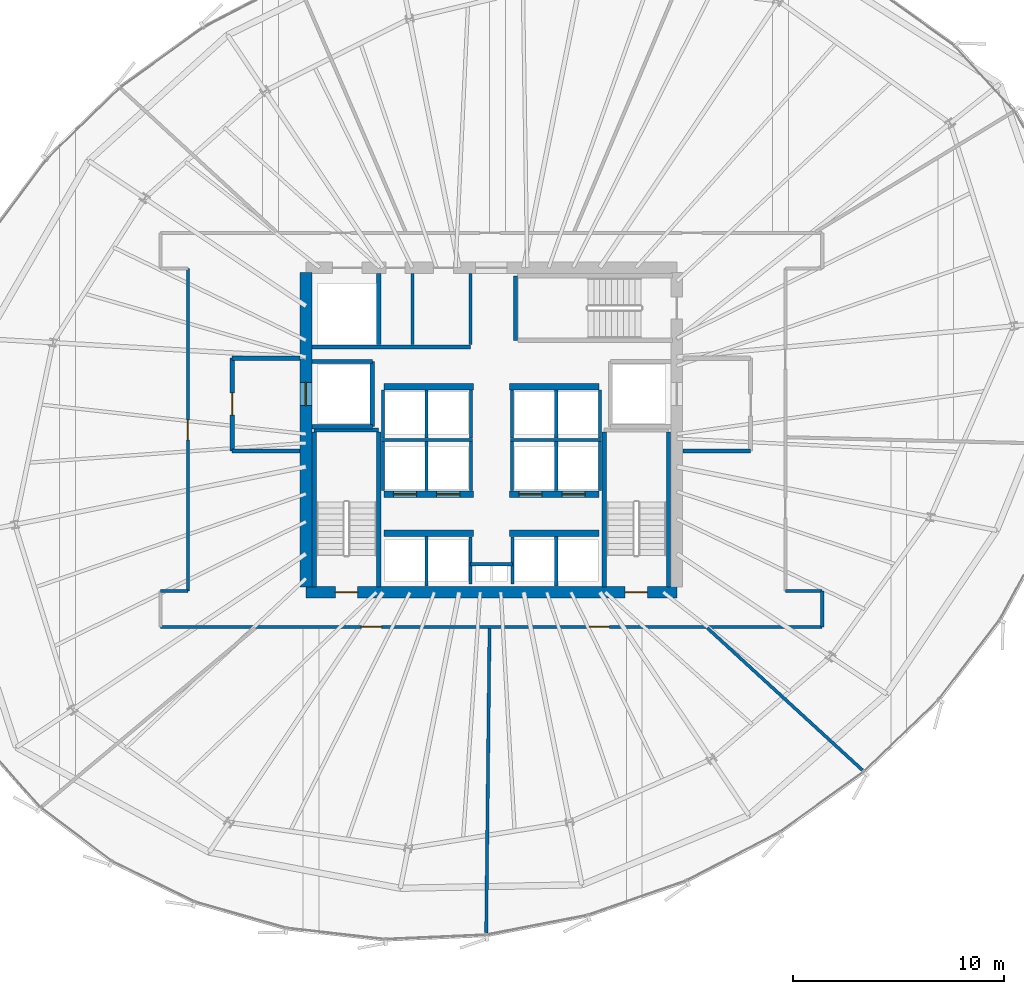
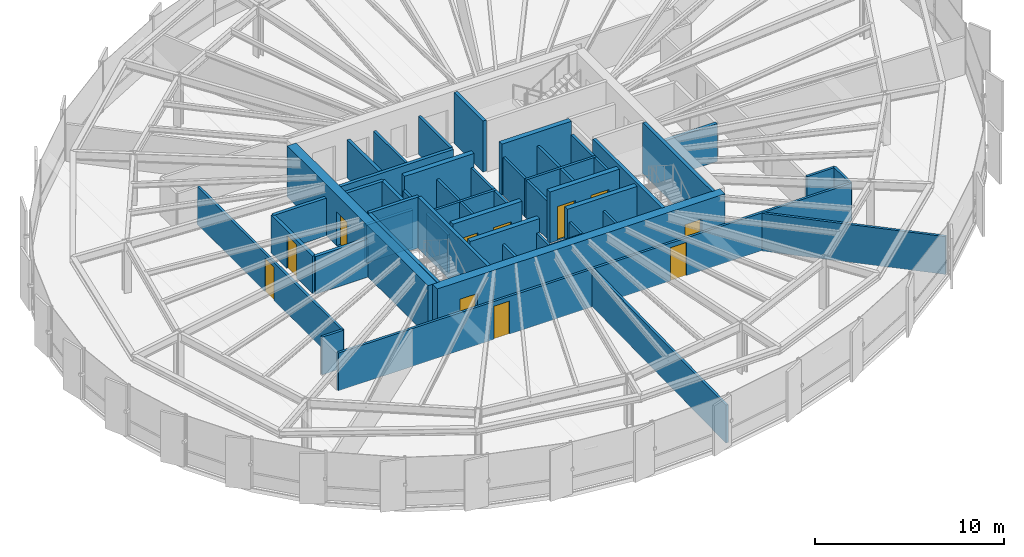
# One storey, part 28 of 34: 51 walls, 11 doors, 11 openings.
"""IFC4 building model written with IfcOpenShell, lengths in metres."""

from ifc_helpers import new_model, si_unit, direction, frame, frame_2d, origin, place, context, subcontext, project, spatial, rectangle, extrude, source, transform, mapped, material, layer, layer_set, type_object, element, fill, save


model = new_model("IFC4")

# Units and contexts
model_context = context("Model", 3, precision=1e-05, world=origin(), true_north=direction((0.0, 1.0)))
body_context = subcontext(model_context, "Body", "Model", "MODEL_VIEW")
ifc_project = project(units=[si_unit("LENGTHUNIT", "METRE"), si_unit("AREAUNIT", "SQUARE_METRE"), si_unit("VOLUMEUNIT", "CUBIC_METRE"), si_unit("PLANEANGLEUNIT", "RADIAN"), si_unit("MASSUNIT", "GRAM", prefix="KILO"), si_unit("THERMODYNAMICTEMPERATUREUNIT", "KELVIN")], contexts=[model_context])

# Site, building, storey
site_placement = place(None, origin())
site = spatial("IfcSite", under=ifc_project, at=site_placement, CompositionType="ELEMENT")
building_placement = place(site_placement, origin())
building = spatial("IfcBuilding", under=site, at=building_placement, Name="Kethvar Cultural Tower", CompositionType="ELEMENT")
storey_placement = place(building_placement, frame((0.0, 0.0, 128.800048828125)))
storey = spatial("IfcBuildingStorey", under=building, at=storey_placement, Name="L32", CompositionType="ELEMENT", Elevation=128.800048828125)

# Wall, openings, doors
ifc_material_1 = material(Name="Concrete C60/75", Category="concrete")
ifc_layer_1 = layer(ifc_material_1, 0.550048828125, Name="Concrete C60/75", Category="concrete")
ifc_layer_set_1 = layer_set([ifc_layer_1], Name="Concrete C60/75 (550 mm)")
wall_type_1 = type_object("IfcWallType", Name="WL-CORE-550", PredefinedType="SHEAR", material=ifc_layer_set_1)
wall_1_placement = place(storey_placement, frame((38.0, 20.10009765625, 0.0), z_axis=(0.0, 0.0, 1.0), x_axis=(1.0, 0.0, 0.0)))
wall_1 = element("IfcWall", 1, at=wall_1_placement, inside=storey, type_object=wall_type_1, Name="L32 Core Shear Wall S", PredefinedType="SHEAR", context=body_context, shape_type="SweptSolid", body=[
    extrude(rectangle(XDim=17.60009765625, YDim=0.550048828125, at=frame_2d((8.800048828125, 0.0))), origin(), (0.0, 0.0, 1.0), 3.300048828125),
])
opening_1_placement = place(wall_1_placement, frame((1.39990234375, 0.0, 0.0)))
opening_1 = element("IfcOpeningElement", 2, at=opening_1_placement, cuts=wall_1, Name="Opening D-L32-S1", PredefinedType="OPENING", context=body_context, shape_type="SweptSolid", body=[
    extrude(rectangle(XDim=1.050048828125, YDim=2.14990234375, at=frame_2d((0.52490234375, 1.074951171875))), frame((0.0, 0.284912109375, 0.0), z_axis=(0.0, -1.0, 0.0), x_axis=(1.0, 0.0, 0.0)), (0.0, 0.0, 1.0), 0.570068359375),
])
opening_2_placement = place(wall_1_placement, frame((15.14990234375, 0.0, 0.0)))
opening_2 = element("IfcOpeningElement", 3, at=opening_2_placement, cuts=wall_1, Name="Opening D-L32-ST2", PredefinedType="OPENING", context=body_context, shape_type="SweptSolid", body=[
    extrude(rectangle(XDim=1.050048828125, YDim=2.14990234375, at=frame_2d((0.52490234375, 1.074951171875))), frame((0.0, 0.284912109375, 0.0), z_axis=(0.0, -1.0, 0.0), x_axis=(1.0, 0.0, 0.0)), (0.0, 0.0, 1.0), 0.570068359375),
])
ifc_material_2 = material(Name="Steel S355J2", Category="steel")
door_type_1 = type_object("IfcDoorType", Name="DR-FD60-1050", OperationType="NOTDEFINED", PredefinedType="DOOR", material=ifc_material_2)
shared_shape_1 = source(origin(), body_context, "Body", "SweptSolid", [
    extrude(rectangle(XDim=1.050048828125, YDim=2.14990234375, at=frame_2d((0.52490234375, 1.074951171875))), frame((0.0, 0.02490234375, 0.0), z_axis=(0.0, -1.0, 0.0), x_axis=(1.0, 0.0, 0.0)), (0.0, 0.0, 1.0), 0.050048828125),
])
door_1_placement = place(opening_1_placement, origin())
door_1 = element("IfcDoor", 4, at=door_1_placement, inside=storey, type_object=door_type_1, Name="L32 Exit Stair 1 Door", OperationType="SINGLE_SWING_LEFT", OverallHeight=2.14990234375, OverallWidth=1.050048828125, PredefinedType="DOOR", context=body_context, shape_type="MappedRepresentation", body=[
    mapped(shared_shape_1, transform((0.0, 0.0, 0.0), scale=1.0)),
])
fill(opening_1, door_1)
door_2_placement = place(opening_2_placement, origin())
door_2 = element("IfcDoor", 5, at=door_2_placement, inside=storey, type_object=door_type_1, Name="L32 Exit Stair 2 Door", OperationType="SINGLE_SWING_RIGHT", OverallHeight=2.14990234375, OverallWidth=1.050048828125, PredefinedType="DOOR", context=body_context, shape_type="MappedRepresentation", body=[
    mapped(shared_shape_1, transform((0.0, 0.0, 0.0), scale=1.0)),
])
fill(opening_2, door_2)

# Wall, opening, door
wall_2_placement = place(storey_placement, frame((38.0, 35.260009765625, 0.0), z_axis=(0.0, 0.0, 1.0), x_axis=(0.0, -1.0, 0.0)))
wall_2 = element("IfcWall", 6, at=wall_2_placement, inside=storey, type_object=wall_type_1, Name="L32 Core Shear Wall W", PredefinedType="SHEAR", context=body_context, shape_type="SweptSolid", body=[
    extrude(rectangle(XDim=14.919921875, YDim=0.550048828125, at=frame_2d((7.4599609375, 0.0))), origin(), (0.0, 0.0, 1.0), 3.300048828125),
])
opening_3_placement = place(wall_2_placement, frame((5.2099609375, 0.0, 0.0)))
opening_3 = element("IfcOpeningElement", 7, at=opening_3_placement, cuts=wall_2, Name="Opening LD-1", PredefinedType="OPENING", context=body_context, shape_type="SweptSolid", body=[
    extrude(rectangle(XDim=1.10009765625, YDim=2.199951171875, at=frame_2d((0.550048828125, 1.10009765625))), frame((0.0, 0.284912109375, 0.0), z_axis=(0.0, -1.0, 0.0), x_axis=(1.0, 0.0, 0.0)), (0.0, 0.0, 1.0), 0.570068359375),
])
door_type_2 = type_object("IfcDoorType", Name="DR-LIFT-SLIDE-1100", OperationType="NOTDEFINED", PredefinedType="DOOR", material=ifc_material_2)
shared_shape_2 = source(origin(), body_context, "Body", "SweptSolid", [
    extrude(rectangle(XDim=1.10009765625, YDim=2.199951171875, at=frame_2d((0.550048828125, 1.10009765625))), frame((0.0, 0.02490234375, 0.0), z_axis=(0.0, -1.0, 0.0), x_axis=(1.0, 0.0, 0.0)), (0.0, 0.0, 1.0), 0.050048828125),
])
door_3_placement = place(opening_3_placement, origin())
door_3 = element("IfcDoor", 8, at=door_3_placement, inside=storey, type_object=door_type_2, Name="L32 Firefighting Lift Landing Door FFL-01", OperationType="SLIDING_TO_LEFT", OverallHeight=2.199951171875, OverallWidth=1.10009765625, PredefinedType="DOOR", context=body_context, shape_type="MappedRepresentation", body=[
    mapped(shared_shape_2, transform((0.0, 0.0, 0.0), scale=1.0)),
])
fill(opening_3, door_3)

# Walls
ifc_material_3 = material(Name="Gypsum Fireboard Partition")
ifc_layer_2 = layer(ifc_material_3, 0.14990234375, Name="Gypsum Fireboard Partition")
ifc_layer_set_2 = layer_set([ifc_layer_2], Name="Gypsum Fireboard Partition (150 mm)")
wall_type_2 = type_object("IfcWallType", Name="WL-FIRE-150", PredefinedType="PARTITIONING", material=ifc_layer_set_2)
wall_3_placement = place(storey_placement, frame((45.800048828125, 21.419921875, 0.0), z_axis=(0.0, 0.0, 1.0), x_axis=(1.0, 0.0, 0.0)))
element("IfcWall", 9, at=wall_3_placement, inside=storey, type_object=wall_type_2, Name="L32 Core Riser Wall", PredefinedType="PARTITIONING", context=body_context, shape_type="SweptSolid", body=[
    extrude(rectangle(XDim=2.0, YDim=0.14990234375, at=frame_2d((1.0, 0.0))), origin(), (0.0, 0.0, 1.0), 2.445068359375),
])
for number, where, z_axis, x_axis, name in (
    (10, (45.800048828125, 20.47998046875, 0.0), (0.0, 0.0, 1.0), (0.0, 1.0, 0.0), "L32 Core Riser West Wall"),
    (11, (47.800048828125, 20.47998046875, 0.0), (0.0, 0.0, 1.0), (0.0, 1.0, 0.0), "L32 Core Riser East Wall"),
):
    element("IfcWall", number, at=place(storey_placement, frame(where, z_axis=z_axis, x_axis=x_axis)), inside=storey, type_object=wall_type_2, Name=name, PredefinedType="PARTITIONING", context=body_context, shape_type="SweptSolid", body=[
        extrude(rectangle(XDim=2.239990234375, YDim=0.14990234375, at=frame_2d((1.1201171875, 0.0))), origin(), (0.0, 0.0, 1.0), 2.445068359375),
    ])
for number, where, z_axis, x_axis, name in (
    (12, (43.72509765625, 20.385009765625, 0.0), (0.0, 0.0, 1.0), (0.0, 1.0, 0.0), "L32 Low-Rise Lift Shaft Divider W"),
    (13, (49.875, 20.385009765625, 0.0), (0.0, 0.0, 1.0), (0.0, 1.0, 0.0), "L32 Low-Rise Lift Shaft Divider E"),
):
    element("IfcWall", number, at=place(storey_placement, frame(where, z_axis=z_axis, x_axis=x_axis)), inside=storey, type_object=wall_type_2, Name=name, PredefinedType="PARTITIONING", context=body_context, shape_type="SweptSolid", body=[
        extrude(rectangle(XDim=2.344970703125, YDim=0.14990234375, at=frame_2d((1.17236328125, 0.0))), origin(), (0.0, 0.0, 1.0), 2.445068359375),
    ])
wall_4_placement = place(storey_placement, frame((41.580078125, 27.324951171875, 0.0), z_axis=(0.0, 0.0, 1.0), x_axis=(1.0, 0.0, 0.0)))
element("IfcWall", 14, at=wall_4_placement, inside=storey, type_object=wall_type_2, Name="L32 Mid-High Lift Shaft Back Wall W", PredefinedType="PARTITIONING", context=body_context, shape_type="SweptSolid", body=[
    extrude(rectangle(XDim=4.31982421875, YDim=0.14990234375, at=frame_2d((2.159912109375, 0.0))), origin(), (0.0, 0.0, 1.0), 2.445068359375),
])
wall_5_placement = place(storey_placement, frame((47.699951171875, 27.324951171875, 0.0), z_axis=(0.0, 0.0, 1.0), x_axis=(1.0, 0.0, 0.0)))
element("IfcWall", 15, at=wall_5_placement, inside=storey, type_object=wall_type_2, Name="L32 Mid-High Lift Shaft Back Wall E", PredefinedType="PARTITIONING", context=body_context, shape_type="SweptSolid", body=[
    extrude(rectangle(XDim=4.320068359375, YDim=0.14990234375, at=frame_2d((2.16015625, 0.0))), origin(), (0.0, 0.0, 1.0), 2.445068359375),
])
for number, where, z_axis, x_axis, name in (
    (16, (41.64990234375, 24.919921875, 0.0), (0.0, 0.0, 1.0), (0.0, 1.0, 0.0), "L32 Mid-Rise Lift Shaft Outer Wall W"),
    (17, (43.72509765625, 24.919921875, 0.0), (0.0, 0.0, 1.0), (0.0, 1.0, 0.0), "L32 Mid-Rise Lift Shaft Divider W"),
    (18, (45.824951171875, 24.919921875, 0.0), (0.0, 0.0, 1.0), (0.0, 1.0, 0.0), "L32 Mid-Rise Lift Shaft Concourse Wall W"),
    (19, (47.77490234375, 24.919921875, 0.0), (0.0, 0.0, 1.0), (0.0, 1.0, 0.0), "L32 Mid-Rise Lift Shaft Concourse Wall E"),
    (20, (49.875, 24.919921875, 0.0), (0.0, 0.0, 1.0), (0.0, 1.0, 0.0), "L32 Mid-Rise Lift Shaft Divider E"),
    (21, (51.949951171875, 24.919921875, 0.0), (0.0, 0.0, 1.0), (0.0, 1.0, 0.0), "L32 Mid-Rise Lift Shaft Outer Wall E"),
):
    element("IfcWall", number, at=place(storey_placement, frame(where, z_axis=z_axis, x_axis=x_axis)), inside=storey, type_object=wall_type_2, Name=name, PredefinedType="PARTITIONING", context=body_context, shape_type="SweptSolid", body=[
        extrude(rectangle(XDim=2.320068359375, YDim=0.14990234375, at=frame_2d((1.16015625, 0.0))), origin(), (0.0, 0.0, 1.0), 2.445068359375),
    ])
for number, where, z_axis, x_axis, name in (
    (22, (41.64990234375, 27.409912109375, 0.0), (0.0, 0.0, 1.0), (0.0, 1.0, 0.0), "L32 High-Rise Lift Shaft Outer Wall W"),
    (23, (43.72509765625, 27.409912109375, 0.0), (0.0, 0.0, 1.0), (0.0, 1.0, 0.0), "L32 High-Rise Lift Shaft Divider W"),
    (24, (45.824951171875, 27.409912109375, 0.0), (0.0, 0.0, 1.0), (0.0, 1.0, 0.0), "L32 High-Rise Lift Shaft Concourse Wall W"),
    (25, (47.77490234375, 27.409912109375, 0.0), (0.0, 0.0, 1.0), (0.0, 1.0, 0.0), "L32 High-Rise Lift Shaft Concourse Wall E"),
    (26, (49.875, 27.409912109375, 0.0), (0.0, 0.0, 1.0), (0.0, 1.0, 0.0), "L32 High-Rise Lift Shaft Divider E"),
    (27, (51.949951171875, 27.409912109375, 0.0), (0.0, 0.0, 1.0), (0.0, 1.0, 0.0), "L32 High-Rise Lift Shaft Outer Wall E"),
):
    element("IfcWall", number, at=place(storey_placement, frame(where, z_axis=z_axis, x_axis=x_axis)), inside=storey, type_object=wall_type_2, Name=name, PredefinedType="PARTITIONING", context=body_context, shape_type="SweptSolid", body=[
        extrude(rectangle(XDim=2.27001953125, YDim=0.14990234375, at=frame_2d((1.135009765625, 0.0))), origin(), (0.0, 0.0, 1.0), 2.445068359375),
    ])
wall_6_placement = place(storey_placement, frame((45.800048828125, 31.85009765625, 0.0), z_axis=(0.0, 0.0, 1.0), x_axis=(0.0, 1.0, 0.0)))
element("IfcWall", 28, at=wall_6_placement, inside=storey, type_object=wall_type_2, Name="L32 Sanitary Spine Wall", PredefinedType="PARTITIONING", context=body_context, shape_type="SweptSolid", body=[
    extrude(rectangle(XDim=3.364990234375, YDim=0.14990234375, at=frame_2d((1.6826171875, 0.0))), origin(), (0.0, 0.0, 1.0), 2.445068359375),
])

# Wall, openings, doors
wall_7_placement = place(storey_placement, frame((31.10009765625, 18.449951171875, 0.0), z_axis=(0.0, 0.0, 1.0), x_axis=(1.0, 0.0, 0.0)))
wall_7 = element("IfcWall", 29, at=wall_7_placement, inside=storey, type_object=wall_type_2, Name="L32 Corridor Rated Wall S", PredefinedType="PARTITIONING", context=body_context, shape_type="SweptSolid", body=[
    extrude(rectangle(XDim=31.39990234375, YDim=0.14990234375, at=frame_2d((15.699951171875, 0.0))), origin(), (0.0, 0.0, 1.0), 2.445068359375),
])
opening_4_placement = place(wall_7_placement, frame((9.5341796875, 0.0, 0.0)))
opening_4 = element("IfcOpeningElement", 30, at=opening_4_placement, cuts=wall_7, Name="Opening D-L32-01", PredefinedType="OPENING", context=body_context, shape_type="SweptSolid", body=[
    extrude(rectangle(XDim=0.949951171875, YDim=2.14990234375, at=frame_2d((0.47509765625, 1.074951171875))), frame((0.0, 0.0849609375, 0.0), z_axis=(0.0, -1.0, 0.0), x_axis=(1.0, 0.0, 0.0)), (0.0, 0.0, 1.0), 0.169921875),
])
opening_5_placement = place(wall_7_placement, frame((20.342529296875, 0.0, 0.0)))
opening_5 = element("IfcOpeningElement", 31, at=opening_5_placement, cuts=wall_7, Name="Opening D-L32-02", PredefinedType="OPENING", context=body_context, shape_type="SweptSolid", body=[
    extrude(rectangle(XDim=0.949951171875, YDim=2.14990234375, at=frame_2d((0.47509765625, 1.074951171875))), frame((0.0, 0.0849609375, 0.0), z_axis=(0.0, -1.0, 0.0), x_axis=(1.0, 0.0, 0.0)), (0.0, 0.0, 1.0), 0.169921875),
])
ifc_material_4 = material(Name="Architectural Oak Timber", Category="wood")
door_type_3 = type_object("IfcDoorType", Name="DR-FD30-950", OperationType="NOTDEFINED", PredefinedType="DOOR", material=ifc_material_4)
shared_shape_3 = source(origin(), body_context, "Body", "SweptSolid", [
    extrude(rectangle(XDim=0.949951171875, YDim=2.14990234375, at=frame_2d((0.47509765625, 1.074951171875))), frame((0.0, 0.02490234375, 0.0), z_axis=(0.0, -1.0, 0.0), x_axis=(1.0, 0.0, 0.0)), (0.0, 0.0, 1.0), 0.050048828125),
])
door_4_placement = place(opening_4_placement, origin())
door_4 = element("IfcDoor", 32, at=door_4_placement, inside=storey, type_object=door_type_3, Name="L32 Curatorial Administration Office 01 Door", OperationType="SINGLE_SWING_LEFT", OverallHeight=2.14990234375, OverallWidth=0.949951171875, PredefinedType="DOOR", context=body_context, shape_type="MappedRepresentation", body=[
    mapped(shared_shape_3, transform((0.0, 0.0, 0.0), scale=1.0)),
])
fill(opening_4, door_4)
door_5_placement = place(opening_5_placement, origin())
door_5 = element("IfcDoor", 33, at=door_5_placement, inside=storey, type_object=door_type_3, Name="L32 Foundation Executive Office 02 Door", OperationType="SINGLE_SWING_RIGHT", OverallHeight=2.14990234375, OverallWidth=0.949951171875, PredefinedType="DOOR", context=body_context, shape_type="MappedRepresentation", body=[
    mapped(shared_shape_3, transform((0.0, 0.0, 0.0), scale=1.0)),
])
fill(opening_5, door_5)

# Walls
wall_8_placement = place(storey_placement, frame((62.5, 18.449951171875, 0.0), z_axis=(0.0, 0.0, 1.0), x_axis=(0.0, 1.0, 0.0)))
element("IfcWall", 34, at=wall_8_placement, inside=storey, type_object=wall_type_2, Name="L32 Corridor Rated Wall ES", PredefinedType="PARTITIONING", context=body_context, shape_type="SweptSolid", body=[
    extrude(rectangle(XDim=1.699951171875, YDim=0.14990234375, at=frame_2d((0.85009765625, 0.0))), origin(), (0.0, 0.0, 1.0), 2.445068359375),
])
wall_9_placement = place(storey_placement, frame((62.5, 20.14990234375, 0.0), z_axis=(0.0, 0.0, 1.0), x_axis=(-1.0, 0.0, 0.0)))
element("IfcWall", 35, at=wall_9_placement, inside=storey, type_object=wall_type_2, Name="L32 Corridor Rated Wall EST", PredefinedType="PARTITIONING", context=body_context, shape_type="SweptSolid", body=[
    extrude(rectangle(XDim=1.75, YDim=0.14990234375, at=frame_2d((0.875, 0.0))), origin(), (0.0, 0.0, 1.0), 2.445068359375),
])

# Wall, opening, door
wall_10_placement = place(storey_placement, frame((32.39990234375, 35.449951171875, 0.0), z_axis=(0.0, 0.0, 1.0), x_axis=(0.0, -1.0, 0.0)))
wall_10 = element("IfcWall", 36, at=wall_10_placement, inside=storey, type_object=wall_type_2, Name="L32 Corridor Rated Wall WM", PredefinedType="PARTITIONING", context=body_context, shape_type="SweptSolid", body=[
    extrude(rectangle(XDim=15.300048828125, YDim=0.14990234375, at=frame_2d((7.64990234375, 0.0))), origin(), (0.0, 0.0, 1.0), 2.445068359375),
])
opening_6_placement = place(wall_10_placement, frame((7.175048828125, 0.0, 0.0)))
opening_6 = element("IfcOpeningElement", 37, at=opening_6_placement, cuts=wall_10, Name="Opening D-L32-08", PredefinedType="OPENING", context=body_context, shape_type="SweptSolid", body=[
    extrude(rectangle(XDim=0.949951171875, YDim=2.14990234375, at=frame_2d((0.47509765625, 1.074951171875))), frame((0.0, 0.0849609375, 0.0), z_axis=(0.0, -1.0, 0.0), x_axis=(1.0, 0.0, 0.0)), (0.0, 0.0, 1.0), 0.169921875),
])
door_6_placement = place(opening_6_placement, origin())
door_6 = element("IfcDoor", 38, at=door_6_placement, inside=storey, type_object=door_type_3, Name="L32 Patron Reception 08 Door", OperationType="SINGLE_SWING_RIGHT", OverallHeight=2.14990234375, OverallWidth=0.949951171875, PredefinedType="DOOR", context=body_context, shape_type="MappedRepresentation", body=[
    mapped(shared_shape_3, transform((0.0, 0.0, 0.0), scale=1.0)),
])
fill(opening_6, door_6)

# Walls
wall_11_placement = place(storey_placement, frame((32.39990234375, 20.14990234375, 0.0), z_axis=(0.0, 0.0, 1.0), x_axis=(-1.0, 0.0, 0.0)))
element("IfcWall", 39, at=wall_11_placement, inside=storey, type_object=wall_type_2, Name="L32 Corridor Rated Wall WST", PredefinedType="PARTITIONING", context=body_context, shape_type="SweptSolid", body=[
    extrude(rectangle(XDim=1.2998046875, YDim=0.14990234375, at=frame_2d((0.64990234375, 0.0))), origin(), (0.0, 0.0, 1.0), 2.445068359375),
])
ifc_material_5 = material(Name="Concrete C40/50", Category="concrete")
ifc_layer_3 = layer(ifc_material_5, 0.199951171875, Name="Concrete C40/50", Category="concrete")
ifc_layer_set_3 = layer_set([ifc_layer_3], Name="Concrete C40/50 (200 mm)")
wall_type_3 = type_object("IfcWallType", Name="WL-FIRE-200", PredefinedType="PARTITIONING", material=ifc_layer_set_3)
wall_12_placement = place(storey_placement, frame((41.14990234375, 27.949951171875, 0.0), z_axis=(0.0, 0.0, 1.0), x_axis=(0.0, 1.0, 0.0)))
element("IfcWall", 40, at=wall_12_placement, inside=storey, type_object=wall_type_3, Name="L32 FFL-01 Shaft Inner Wall", PredefinedType="PARTITIONING", context=body_context, shape_type="SweptSolid", body=[
    extrude(rectangle(XDim=3.10009765625, YDim=0.199951171875, at=frame_2d((1.550048828125, 0.0))), origin(), (0.0, 0.0, 1.0), 2.445068359375),
])
for number, where, z_axis, x_axis, name in (
    (41, (38.284912109375, 27.949951171875, 0.0), (0.0, 0.0, 1.0), (1.0, 0.0, 0.0), "L32 FFL-01 Shaft South Wall"),
    (42, (38.284912109375, 31.050048828125, 0.0), (0.0, 0.0, 1.0), (1.0, 0.0, 0.0), "L32 FFL-01 Shaft North Wall"),
):
    element("IfcWall", number, at=place(storey_placement, frame(where, z_axis=z_axis, x_axis=x_axis)), inside=storey, type_object=wall_type_3, Name=name, PredefinedType="PARTITIONING", context=body_context, shape_type="SweptSolid", body=[
        extrude(rectangle(XDim=2.864990234375, YDim=0.199951171875, at=frame_2d((1.4326171875, 0.0))), origin(), (0.0, 0.0, 1.0), 2.445068359375),
    ])

# Wall, opening, door
wall_13_placement = place(storey_placement, frame((34.5, 31.199951171875, 0.0), z_axis=(0.0, 0.0, 1.0), x_axis=(0.0, -1.0, 0.0)))
wall_13 = element("IfcWall", 43, at=wall_13_placement, inside=storey, type_object=wall_type_3, Name="L32 Firefighting Lobby 1 Wall", PredefinedType="PARTITIONING", context=body_context, shape_type="SweptSolid", body=[
    extrude(rectangle(XDim=4.39990234375, YDim=0.199951171875, at=frame_2d((2.199951171875, 0.0))), origin(), (0.0, 0.0, 1.0), 2.445068359375),
])
opening_7_placement = place(wall_13_placement, frame((1.64990234375, 0.0, 0.0)))
opening_7 = element("IfcOpeningElement", 44, at=opening_7_placement, cuts=wall_13, Name="Opening D-L32-F1", PredefinedType="OPENING", context=body_context, shape_type="SweptSolid", body=[
    extrude(rectangle(XDim=1.050048828125, YDim=2.14990234375, at=frame_2d((0.52490234375, 1.074951171875))), frame((0.0, 0.10986328125, 0.0), z_axis=(0.0, -1.0, 0.0), x_axis=(1.0, 0.0, 0.0)), (0.0, 0.0, 1.0), 0.219970703125),
])
door_7_placement = place(opening_7_placement, origin())
door_7 = element("IfcDoor", 45, at=door_7_placement, inside=storey, type_object=door_type_1, Name="L32 Firefighting Lobby 1 Fire Door", OperationType="SINGLE_SWING_LEFT", OverallHeight=2.14990234375, OverallWidth=1.050048828125, PredefinedType="DOOR", context=body_context, shape_type="MappedRepresentation", body=[
    mapped(shared_shape_1, transform((0.0, 0.0, 0.0), scale=1.0)),
])
fill(opening_7, door_7)

# Walls
for number, where, z_axis, x_axis, name in (
    (46, (34.5, 26.800048828125, 0.0), (0.0, 0.0, 1.0), (1.0, 0.0, 0.0), "L32 FF Lobby 1 South Wall"),
    (47, (34.5, 31.199951171875, 0.0), (0.0, 0.0, 1.0), (1.0, 0.0, 0.0), "L32 FF Lobby 1 North Wall"),
    (48, (55.885009765625, 26.800048828125, 0.0), (0.0, 0.0, 1.0), (1.0, 0.0, 0.0), "L32 FF Lobby 2 South Wall"),
):
    element("IfcWall", number, at=place(storey_placement, frame(where, z_axis=z_axis, x_axis=x_axis)), inside=storey, type_object=wall_type_3, Name=name, PredefinedType="PARTITIONING", context=body_context, shape_type="SweptSolid", body=[
        extrude(rectangle(XDim=3.215087890625, YDim=0.199951171875, at=frame_2d((1.607421875, 0.0))), origin(), (0.0, 0.0, 1.0), 2.445068359375),
    ])
wall_14_placement = place(storey_placement, frame((41.449951171875, 31.85009765625, 0.0), z_axis=(0.0, 0.0, 1.0), x_axis=(0.0, 1.0, 0.0)))
element("IfcWall", 49, at=wall_14_placement, inside=storey, type_object=wall_type_3, Name="L32 NW Core Pocket Wall", PredefinedType="PARTITIONING", context=body_context, shape_type="SweptSolid", body=[
    extrude(rectangle(XDim=3.364990234375, YDim=0.199951171875, at=frame_2d((1.6826171875, 0.0))), origin(), (0.0, 0.0, 1.0), 2.445068359375),
])
wall_15_placement = place(storey_placement, frame((38.284912109375, 31.72998046875, 0.0), z_axis=(0.0, 0.0, 1.0), x_axis=(1.0, 0.0, 0.0)))
element("IfcWall", 50, at=wall_15_placement, inside=storey, type_object=wall_type_3, Name="L32 North Core Sanitary South Wall", PredefinedType="PARTITIONING", context=body_context, shape_type="SweptSolid", body=[
    extrude(rectangle(XDim=7.51513671875, YDim=0.199951171875, at=frame_2d((3.757568359375, 0.0))), origin(), (0.0, 0.0, 1.0), 2.445068359375),
])
ifc_material_6 = material(Name="Gypsum Acoustic Partition")
ifc_layer_4 = layer(ifc_material_6, 0.14990234375, Name="Gypsum Acoustic Partition")
ifc_layer_set_4 = layer_set([ifc_layer_4], Name="Gypsum Acoustic Partition (150 mm)")
wall_type_4 = type_object("IfcWallType", Name="WL-PART-150", PredefinedType="PARTITIONING", material=ifc_layer_set_4)
wall_16_placement = place(storey_placement, frame((46.7109375, 18.3701171875, 0.0), z_axis=(0.0, 0.0, 1.0), x_axis=(-0.010942632521, -0.999940127604, 0.0)))
element("IfcWall", 51, at=wall_16_placement, inside=storey, type_object=wall_type_4, Name="L32 Radial Partition Wall 02", PredefinedType="PARTITIONING", context=body_context, shape_type="SweptSolid", body=[
    extrude(rectangle(XDim=14.435302734375, YDim=0.14990234375, at=frame_2d((7.2177734375, 0.0))), origin(), (0.0, 0.0, 1.0), 2.445068359375),
])
wall_17_placement = place(storey_placement, frame((57.04833984375, 18.39599609375, 0.0), z_axis=(0.0, 0.0, 1.0), x_axis=(0.737244538612, -0.675625998823, 0.0)))
element("IfcWall", 52, at=wall_17_placement, inside=storey, type_object=wall_type_4, Name="L32 Radial Partition Wall 03", PredefinedType="PARTITIONING", context=body_context, shape_type="SweptSolid", body=[
    extrude(rectangle(XDim=9.9765625, YDim=0.14990234375, at=frame_2d((4.98828125, 0.0))), origin(), (0.0, 0.0, 1.0), 2.445068359375),
])
ifc_material_7 = material(Name="Moisture-Resistant Sanitary Chase Wall")
ifc_layer_5 = layer(ifc_material_7, 0.14990234375, Name="Moisture-Resistant Sanitary Chase Wall")
ifc_layer_set_5 = layer_set([ifc_layer_5], Name="Moisture-Resistant Sanitary Chase Wall (150 mm)")
wall_type_5 = type_object("IfcWallType", Name="WL-PLUMB-150", PredefinedType="PLUMBINGWALL", material=ifc_layer_set_5)
wall_18_placement = place(storey_placement, frame((43.050048828125, 31.85009765625, 0.0), z_axis=(0.0, 0.0, 1.0), x_axis=(0.0, 1.0, 0.0)))
element("IfcWall", 53, at=wall_18_placement, inside=storey, type_object=wall_type_5, Name="L32 Sanitary Plumbing Wall", PredefinedType="PLUMBINGWALL", context=body_context, shape_type="SweptSolid", body=[
    extrude(rectangle(XDim=3.364990234375, YDim=0.14990234375, at=frame_2d((1.6826171875, 0.0))), origin(), (0.0, 0.0, 1.0), 2.445068359375),
])
ifc_material_8 = material(Name="Concrete C50/60", Category="concrete")
ifc_layer_6 = layer(ifc_material_8, 0.300048828125, Name="Concrete C50/60", Category="concrete")
ifc_layer_set_6 = layer_set([ifc_layer_6], Name="Concrete C50/60 (300 mm)")
wall_type_6 = type_object("IfcWallType", Name="WL-SHAFT-300", PredefinedType="SHEAR", material=ifc_layer_set_6)
for number, where, z_axis, x_axis, name in (
    (54, (41.699951171875, 22.89990234375, 0.0), (0.0, 0.0, 1.0), (1.0, 0.0, 0.0), "L32 Core Lift Spine Wall MID1W"),
    (55, (47.64990234375, 22.89990234375, 0.0), (0.0, 0.0, 1.0), (1.0, 0.0, 0.0), "L32 Core Lift Spine Wall MID1E"),
):
    element("IfcWall", number, at=place(storey_placement, frame(where, z_axis=z_axis, x_axis=x_axis)), inside=storey, type_object=wall_type_6, Name=name, PredefinedType="SHEAR", context=body_context, shape_type="SweptSolid", body=[
        extrude(rectangle(XDim=4.25, YDim=0.300048828125, at=frame_2d((2.125, 0.0))), origin(), (0.0, 0.0, 1.0), 3.300048828125),
    ])

# Wall, openings, doors
wall_19_placement = place(storey_placement, frame((41.699951171875, 24.75, 0.0), z_axis=(0.0, 0.0, 1.0), x_axis=(1.0, 0.0, 0.0)))
wall_19 = element("IfcWall", 56, at=wall_19_placement, inside=storey, type_object=wall_type_6, Name="L32 Core Lift Spine Wall MID2W", PredefinedType="SHEAR", context=body_context, shape_type="SweptSolid", body=[
    extrude(rectangle(XDim=4.25, YDim=0.300048828125, at=frame_2d((2.125, 0.0))), origin(), (0.0, 0.0, 1.0), 3.300048828125),
])
opening_8_placement = place(wall_19_placement, frame((0.449951171875, 0.0, 0.0)))
opening_8 = element("IfcOpeningElement", 57, at=opening_8_placement, cuts=wall_19, Name="Opening LD-M1", PredefinedType="OPENING", context=body_context, shape_type="SweptSolid", body=[
    extrude(rectangle(XDim=1.10009765625, YDim=2.199951171875, at=frame_2d((0.550048828125, 1.10009765625))), frame((0.0, 0.159912109375, 0.0), z_axis=(0.0, -1.0, 0.0), x_axis=(1.0, 0.0, 0.0)), (0.0, 0.0, 1.0), 0.320068359375),
])
opening_9_placement = place(wall_19_placement, frame((2.5, 0.0, 0.0)))
opening_9 = element("IfcOpeningElement", 58, at=opening_9_placement, cuts=wall_19, Name="Opening LD-M2", PredefinedType="OPENING", context=body_context, shape_type="SweptSolid", body=[
    extrude(rectangle(XDim=1.10009765625, YDim=2.199951171875, at=frame_2d((0.550048828125, 1.10009765625))), frame((0.0, 0.159912109375, 0.0), z_axis=(0.0, -1.0, 0.0), x_axis=(1.0, 0.0, 0.0)), (0.0, 0.0, 1.0), 0.320068359375),
])
door_8_placement = place(opening_8_placement, origin())
door_8 = element("IfcDoor", 59, at=door_8_placement, inside=storey, type_object=door_type_2, Name="L32 Mid-Rise Lift Landing Door M1", OperationType="SLIDING_TO_RIGHT", OverallHeight=2.199951171875, OverallWidth=1.10009765625, PredefinedType="DOOR", context=body_context, shape_type="MappedRepresentation", body=[
    mapped(shared_shape_2, transform((0.0, 0.0, 0.0), scale=1.0)),
])
fill(opening_8, door_8)
door_9_placement = place(opening_9_placement, origin())
door_9 = element("IfcDoor", 60, at=door_9_placement, inside=storey, type_object=door_type_2, Name="L32 Mid-Rise Lift Landing Door M2", OperationType="SLIDING_TO_RIGHT", OverallHeight=2.199951171875, OverallWidth=1.10009765625, PredefinedType="DOOR", context=body_context, shape_type="MappedRepresentation", body=[
    mapped(shared_shape_2, transform((0.0, 0.0, 0.0), scale=1.0)),
])
fill(opening_9, door_9)

wall_20_placement = place(storey_placement, frame((47.64990234375, 24.75, 0.0), z_axis=(0.0, 0.0, 1.0), x_axis=(1.0, 0.0, 0.0)))
wall_20 = element("IfcWall", 61, at=wall_20_placement, inside=storey, type_object=wall_type_6, Name="L32 Core Lift Spine Wall MID2E", PredefinedType="SHEAR", context=body_context, shape_type="SweptSolid", body=[
    extrude(rectangle(XDim=4.25, YDim=0.300048828125, at=frame_2d((2.125, 0.0))), origin(), (0.0, 0.0, 1.0), 3.300048828125),
])
opening_10_placement = place(wall_20_placement, frame((0.449951171875, 0.0, 0.0)))
opening_10 = element("IfcOpeningElement", 62, at=opening_10_placement, cuts=wall_20, Name="Opening LD-M3", PredefinedType="OPENING", context=body_context, shape_type="SweptSolid", body=[
    extrude(rectangle(XDim=1.10009765625, YDim=2.199951171875, at=frame_2d((0.550048828125, 1.10009765625))), frame((0.0, 0.159912109375, 0.0), z_axis=(0.0, -1.0, 0.0), x_axis=(1.0, 0.0, 0.0)), (0.0, 0.0, 1.0), 0.320068359375),
])
opening_11_placement = place(wall_20_placement, frame((2.5, 0.0, 0.0)))
opening_11 = element("IfcOpeningElement", 63, at=opening_11_placement, cuts=wall_20, Name="Opening LD-M4", PredefinedType="OPENING", context=body_context, shape_type="SweptSolid", body=[
    extrude(rectangle(XDim=1.10009765625, YDim=2.199951171875, at=frame_2d((0.550048828125, 1.10009765625))), frame((0.0, 0.159912109375, 0.0), z_axis=(0.0, -1.0, 0.0), x_axis=(1.0, 0.0, 0.0)), (0.0, 0.0, 1.0), 0.320068359375),
])
door_10_placement = place(opening_10_placement, origin())
door_10 = element("IfcDoor", 64, at=door_10_placement, inside=storey, type_object=door_type_2, Name="L32 Mid-Rise Lift Landing Door M3", OperationType="SLIDING_TO_RIGHT", OverallHeight=2.199951171875, OverallWidth=1.10009765625, PredefinedType="DOOR", context=body_context, shape_type="MappedRepresentation", body=[
    mapped(shared_shape_2, transform((0.0, 0.0, 0.0), scale=1.0)),
])
fill(opening_10, door_10)
door_11_placement = place(opening_11_placement, origin())
door_11 = element("IfcDoor", 65, at=door_11_placement, inside=storey, type_object=door_type_2, Name="L32 Mid-Rise Lift Landing Door M4", OperationType="SLIDING_TO_RIGHT", OverallHeight=2.199951171875, OverallWidth=1.10009765625, PredefinedType="DOOR", context=body_context, shape_type="MappedRepresentation", body=[
    mapped(shared_shape_2, transform((0.0, 0.0, 0.0), scale=1.0)),
])
fill(opening_11, door_11)

# Walls
for number, where, z_axis, x_axis, name in (
    (66, (41.699951171875, 29.85009765625, 0.0), (0.0, 0.0, 1.0), (1.0, 0.0, 0.0), "L32 Core Lift Spine Wall MID3W"),
    (67, (47.64990234375, 29.85009765625, 0.0), (0.0, 0.0, 1.0), (1.0, 0.0, 0.0), "L32 Core Lift Spine Wall MID3E"),
):
    element("IfcWall", number, at=place(storey_placement, frame(where, z_axis=z_axis, x_axis=x_axis)), inside=storey, type_object=wall_type_6, Name=name, PredefinedType="SHEAR", context=body_context, shape_type="SweptSolid", body=[
        extrude(rectangle(XDim=4.25, YDim=0.300048828125, at=frame_2d((2.125, 0.0))), origin(), (0.0, 0.0, 1.0), 3.300048828125),
    ])
ifc_layer_7 = layer(ifc_material_8, 0.199951171875, Name="Concrete C50/60", Category="concrete")
ifc_layer_set_7 = layer_set([ifc_layer_7], Name="Concrete C50/60 (200 mm)")
wall_type_7 = type_object("IfcWallType", Name="WL-STSHAFT-200", PredefinedType="SHEAR", material=ifc_layer_set_7)
wall_21_placement = place(storey_placement, frame((38.389892578125, 27.800048828125, 0.0), z_axis=(0.0, 0.0, 1.0), x_axis=(1.0, 0.0, 0.0)))
element("IfcWall", 68, at=wall_21_placement, inside=storey, type_object=wall_type_7, Name="L32 ST-01 Stair Shaft Wall FAR", PredefinedType="SHEAR", context=body_context, shape_type="SweptSolid", body=[
    extrude(rectangle(XDim=3.06005859375, YDim=0.199951171875, at=frame_2d((1.530029296875, 0.0))), origin(), (0.0, 0.0, 1.0), 3.300048828125),
])
for number, where, z_axis, x_axis, name in (
    (69, (41.449951171875, 27.699951171875, 0.0), (0.0, 0.0, 1.0), (0.0, -1.0, 0.0), "L32 ST-01 Stair Shaft Wall LEFT"),
    (70, (38.389892578125, 20.35009765625, 0.0), (0.0, 0.0, 1.0), (0.0, 1.0, 0.0), "L32 ST-01 Stair Shaft Wall RIGHT"),
    (71, (55.2099609375, 27.699951171875, 0.0), (0.0, 0.0, 1.0), (0.0, -1.0, 0.0), "L32 ST-02 Stair Shaft Wall LEFT"),
    (72, (52.14990234375, 20.35009765625, 0.0), (0.0, 0.0, 1.0), (0.0, 1.0, 0.0), "L32 ST-02 Stair Shaft Wall RIGHT"),
):
    element("IfcWall", number, at=place(storey_placement, frame(where, z_axis=z_axis, x_axis=x_axis)), inside=storey, type_object=wall_type_7, Name=name, PredefinedType="SHEAR", context=body_context, shape_type="SweptSolid", body=[
        extrude(rectangle(XDim=7.349853515625, YDim=0.199951171875, at=frame_2d((3.6748046875, 0.0))), origin(), (0.0, 0.0, 1.0), 3.300048828125),
    ])
wall_22_placement = place(storey_placement, frame((47.949951171875, 32.050048828125, 0.0), z_axis=(0.0, 0.0, 1.0), x_axis=(0.0, 1.0, 0.0)))
element("IfcWall", 73, at=wall_22_placement, inside=storey, type_object=wall_type_7, Name="L32 ST-03 Stair Shaft Wall FAR", PredefinedType="SHEAR", context=body_context, shape_type="SweptSolid", body=[
    extrude(rectangle(XDim=3.06005859375, YDim=0.199951171875, at=frame_2d((1.530029296875, 0.0))), origin(), (0.0, 0.0, 1.0), 3.300048828125),
])

save(model, "model.ifc")
